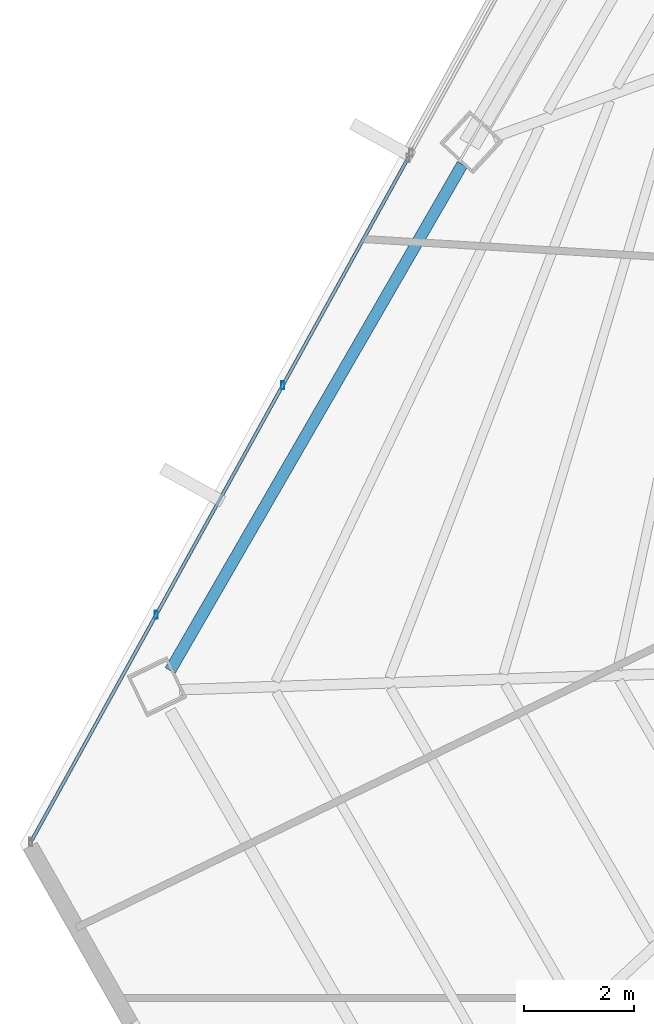
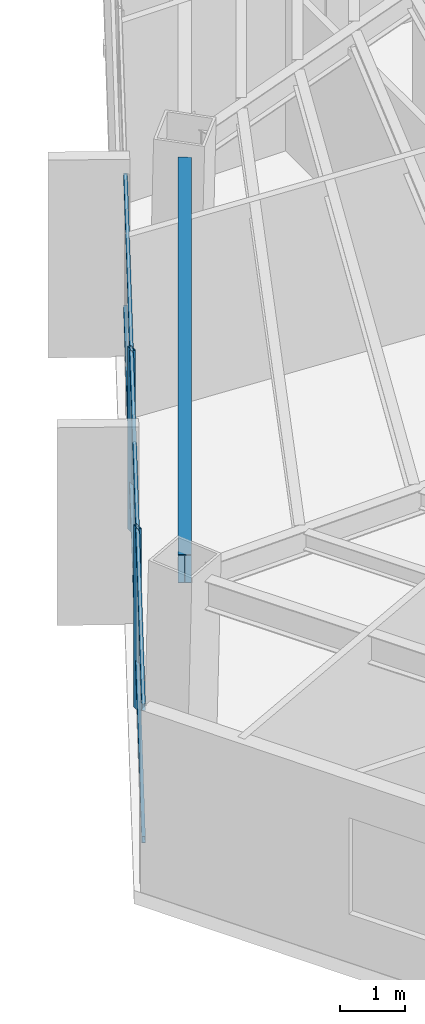
# One storey, part 7 of 41: 4 members, 1 beam, 1 element without a shape of its own.
"""IFC4 building model written with IfcOpenShell, lengths in metres."""

from ifc_helpers import new_model, si_unit, direction, frame, origin, origin_2d, place, context, subcontext, project, spatial, hollow_rectangle, i_section, extrude, source, transform, mapped, material, material_profile, profile_set, type_object, type_shapes, element, aggregate, save


model = new_model("IFC4")

# Units and contexts
model_context = context("Model", 3, precision=1e-05, world=origin(), true_north=direction((0.0, 1.0)))
body_context = subcontext(model_context, "Body", "Model", "MODEL_VIEW")
ifc_project = project(units=[si_unit("LENGTHUNIT", "METRE"), si_unit("AREAUNIT", "SQUARE_METRE"), si_unit("VOLUMEUNIT", "CUBIC_METRE"), si_unit("PLANEANGLEUNIT", "RADIAN"), si_unit("MASSUNIT", "GRAM", prefix="KILO")], contexts=[model_context])

# Site, building, storey
site_placement = place(None, origin())
site = spatial("IfcSite", under=ifc_project, at=site_placement, CompositionType="ELEMENT")
building_placement = place(site_placement, origin())
building = spatial("IfcBuilding", under=site, at=building_placement, Name="Caelisora Broadcast Tower", CompositionType="ELEMENT")
storey_placement = place(building_placement, frame((0.0, 0.0, 209.60009765625)))
storey = spatial("IfcBuildingStorey", under=building, at=storey_placement, Name="L55", CompositionType="ELEMENT", Elevation=209.60009765625)

# Beam
ifc_material_1 = material(Name="Steel Grade 350 (AS/NZS 3679.1)", Category="steel")
ifc_material_profile_1 = material_profile(ifc_material_1, i_section(OverallWidth=0.208984375, OverallDepth=0.532958984375, WebThickness=0.01025390625, FlangeThickness=0.015625, at=origin_2d()), Name="Steel Grade 350 (AS/NZS 3679.1)")
ifc_profile_set_1 = profile_set([ifc_material_profile_1], Name="Steel Grade 350 (AS/NZS 3679.1)")
beam_type = type_object("IfcBeamType", Name="PG05", PredefinedType="BEAM", material=ifc_profile_set_1)
shared_shape_1 = source(origin(), body_context, "Body", "SweptSolid", [
    extrude(i_section(OverallWidth=0.208984375, OverallDepth=0.532958984375, WebThickness=0.01025390625, FlangeThickness=0.015625, at=origin_2d()), origin(), (0.0, 0.0, 1.0), 10.58984375),
])
type_shapes(beam_type, [shared_shape_1])
beam_placement = place(storey_placement, frame((21.493408203125, 26.455322265625, 3.13330078125), z_axis=(-0.499997184019, -0.866027029586, 0.0), x_axis=(0.866027029586, -0.499997184019, 0.0)))
element("IfcBeam", 1, at=beam_placement, inside=storey, type_object=beam_type, Name="L55 beam PG05", PredefinedType="BEAM", context=body_context, shape_type="MappedRepresentation", body=[
    mapped(shared_shape_1, transform((0.0, 0.0, 0.0), scale=1.0)),
])

# Curtain wall, members
ifc_material_2 = material(Name="Unitised Aluminium and Low-E Glass Curtain Wall", Category="glass")
curtain_wall_type = type_object("IfcCurtainWallType", Name="CW-Z4", PredefinedType="NOTDEFINED", material=ifc_material_2)
curtain_wall_placement = place(storey_placement, origin())
curtain_wall = element("IfcCurtainWall", 2, at=curtain_wall_placement, inside=storey, type_object=curtain_wall_type, Name="L55 curtain wall CW-Z4", PredefinedType="NOTDEFINED")
ifc_material_3 = material(Name="Aluminium 6063-T6 Anodised Terracotta Bronze", Category="aluminium")
ifc_material_profile_2 = material_profile(ifc_material_3, hollow_rectangle(XDim=0.06005859375, YDim=0.14990234375, WallThickness=0.00341796875, at=origin_2d()), Name="Aluminium 6063-T6 Anodised Terracotta Bronze")
ifc_profile_set_2 = profile_set([ifc_material_profile_2], Name="Aluminium 6063-T6 Anodised Terracotta Bronze")
member_type_1 = type_object("IfcMemberType", Name="CWM-03", PredefinedType="MULLION", material=ifc_profile_set_2)
shared_shape_2 = source(origin(), body_context, "Body", "SweptSolid", [
    extrude(hollow_rectangle(XDim=0.06005859375, YDim=0.14990234375, WallThickness=0.00341796875, at=origin_2d()), origin(), (0.0, 0.0, 1.0), 3.39990234375),
])
type_shapes(member_type_1, [shared_shape_2])
member_1_placement = place(storey_placement, frame((15.945556640625, 18.29345703125, 0.0), z_axis=(0.0, 0.0, 1.0), x_axis=(1.0, 0.0, 0.0)))
member_1 = element("IfcMember", 3, at=member_1_placement, type_object=member_type_1, Name="L55-CW-B09 mullion #1", PredefinedType="MULLION", context=body_context, shape_type="MappedRepresentation", body=[
    mapped(shared_shape_2, transform((0.0, 0.0, 0.0), scale=1.0)),
])
member_2_placement = place(storey_placement, frame((18.240966796875, 22.454833984375, 0.0), z_axis=(0.0, 0.0, 1.0), x_axis=(1.0, 0.0, 0.0)))
member_2 = element("IfcMember", 4, at=member_2_placement, type_object=member_type_1, Name="L55-CW-B09 mullion #2", PredefinedType="MULLION", context=body_context, shape_type="MappedRepresentation", body=[
    mapped(shared_shape_2, transform((0.0, 0.0, 0.0), scale=1.0)),
])
ifc_material_profile_3 = material_profile(ifc_material_3, hollow_rectangle(XDim=0.06005859375, YDim=0.1201171875, WallThickness=0.0029296875, at=origin_2d()), Name="Aluminium 6063-T6 Anodised Terracotta Bronze")
ifc_profile_set_3 = profile_set([ifc_material_profile_3], Name="Aluminium 6063-T6 Anodised Terracotta Bronze")
member_type_2 = type_object("IfcMemberType", Name="CWT-03", PredefinedType="USERDEFINED", material=ifc_profile_set_3)
shared_shape_3 = source(origin(), body_context, "Body", "SweptSolid", [
    extrude(hollow_rectangle(XDim=0.06005859375, YDim=0.1201171875, WallThickness=0.0029296875, at=origin_2d()), origin(), (0.0, 0.0, 1.0), 14.15771484375),
])
type_shapes(member_type_2, [shared_shape_3])
member_3_placement = place(storey_placement, frame((13.67431640625, 14.17578125, 0.849853515625), z_axis=(0.482999387346, 0.875620689467, 0.0), x_axis=(-0.875620689467, 0.482999387346, 0.0)))
member_3 = element("IfcMember", 5, at=member_3_placement, type_object=member_type_2, Name="L55-CW-B09 transom #1", ObjectType="TRANSOM", PredefinedType="USERDEFINED", context=body_context, shape_type="MappedRepresentation", body=[
    mapped(shared_shape_3, transform((0.0, 0.0, 0.0), scale=1.0)),
])
member_4_placement = place(storey_placement, frame((13.67431640625, 14.17578125, 3.31982421875), z_axis=(0.482999387346, 0.875620689467, 0.0), x_axis=(-0.875620689467, 0.482999387346, 0.0)))
member_4 = element("IfcMember", 6, at=member_4_placement, type_object=member_type_2, Name="L55-CW-B09 transom #2", ObjectType="TRANSOM", PredefinedType="USERDEFINED", context=body_context, shape_type="MappedRepresentation", body=[
    mapped(shared_shape_3, transform((0.0, 0.0, 0.0), scale=1.0)),
])
aggregate(curtain_wall, [member_1, member_2, member_3, member_4])

save(model, "model.ifc")
